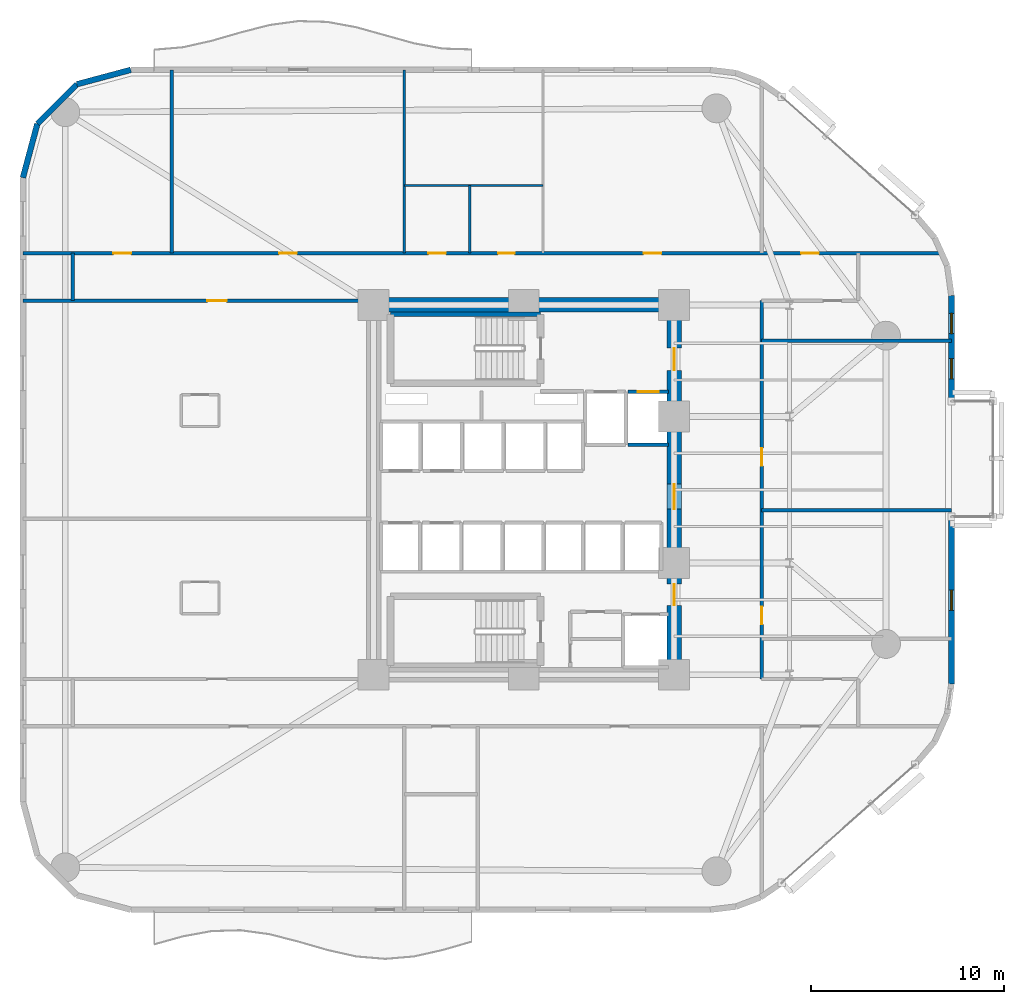
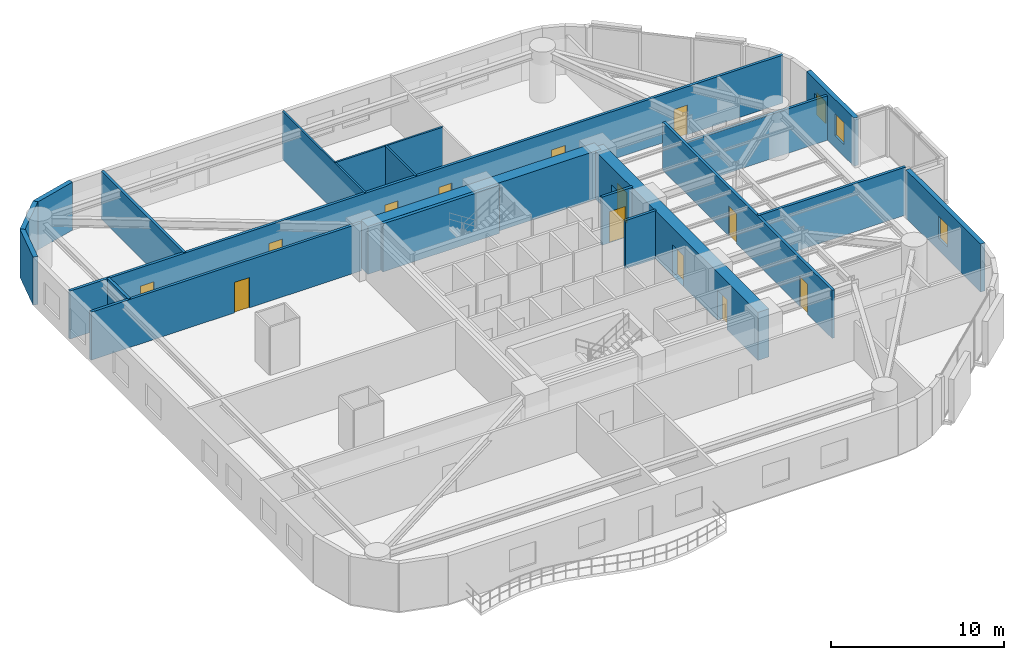
# One storey, part 12 of 16: 20 walls, 13 doors, 3 windows, 16 openings.
"""IFC4 building model written with IfcOpenShell, lengths in metres."""

import ifcopenshell
import ifcopenshell.guid

model = None  # the IFC model being written
_history = None  # IfcOwnerHistory: only IFC2X3 demands one
_inside = {}  # id of a spatial element -> (the spatial element, [elements in it])
_under = {}  # id of a project, library or spatial element -> (it, [spatial elements below it])
_declared = {}  # id of a project -> (the project, [libraries it declares])
_typed = {}  # id of a type object -> (the type object, [elements of that type])
_made_of = {}  # id of a material, layer set ... -> (it, [elements and type objects made of it])


def new_model(schema):
    """Start an empty IFC model of exactly this schema.

    Asked for "IFC4X3", IfcOpenShell would pick the latest addendum, in which some entities
    have other attributes; the version numbers below select the first issue.
    IFC2X3 requires an IfcOwnerHistory on every rooted entity: one is made here for all.
    """
    global model, _history
    if schema == "IFC4X3":
        model = ifcopenshell.file(schema_version=(4, 3, 0, 0))
    else:
        model = ifcopenshell.file(schema=schema)
    _inside.clear()
    _under.clear()
    _declared.clear()
    _typed.clear()
    _made_of.clear()
    _history = None
    if model.schema == "IFC2X3":
        org = make("IfcOrganization", Name="unknown")
        user = make(
            "IfcPersonAndOrganization",
            ThePerson=make("IfcPerson", FamilyName="unknown"),
            TheOrganization=org,
        )
        app = make(
            "IfcApplication",
            ApplicationDeveloper=org,
            Version="unknown",
            ApplicationFullName="unknown",
            ApplicationIdentifier="unknown",
        )
        _history = make(
            "IfcOwnerHistory",
            OwningUser=user,
            OwningApplication=app,
            ChangeAction="ADDED",
            CreationDate=0,
        )
    return model


def make(cls, **values):
    """One entity of the class cls with the attributes given. An attribute that is None is left unset."""
    return model.create_entity(
        cls, **{name: value for name, value in values.items() if value is not None}
    )


def rooted(cls, **values):
    """An entity with a GlobalId (a new one), such as an element, a storey or a relation."""
    return make(cls, GlobalId=ifcopenshell.guid.new(), OwnerHistory=_history, **values)


def si_unit(unit_type, name, prefix=None):
    """IfcSIUnit, for example si_unit("LENGTHUNIT", "METRE", prefix="MILLI")."""
    return make("IfcSIUnit", UnitType=unit_type, Prefix=prefix, Name=name)


def assignment(units):
    """IfcUnitAssignment: the units of a project."""
    return None if units is None else make("IfcUnitAssignment", Units=units)


def point(xyz):
    """IfcCartesianPoint."""
    return None if xyz is None else make("IfcCartesianPoint", Coordinates=xyz)


def direction(xyz):
    """IfcDirection."""
    return None if xyz is None else make("IfcDirection", DirectionRatios=xyz)


def frame(location, z_axis=None, x_axis=None):
    """IfcAxis2Placement3D, a coordinate frame: its origin and axes. An axis left out is left unset."""
    return make(
        "IfcAxis2Placement3D",
        Location=point(location),
        Axis=direction(z_axis),
        RefDirection=direction(x_axis),
    )


def frame_2d(location, x_axis=None):
    """IfcAxis2Placement2D, a coordinate frame in the plane: its origin and x axis."""
    return make(
        "IfcAxis2Placement2D", Location=point(location), RefDirection=direction(x_axis)
    )


def origin():
    """The frame at (0, 0, 0) with its axes left unset."""
    return frame((0.0, 0.0, 0.0))


def place(relative_to, where):
    """IfcLocalPlacement: puts the frame where relative to a parent placement (None: the world)."""
    return make(
        "IfcLocalPlacement", PlacementRelTo=relative_to, RelativePlacement=where
    )


def context(
    kind, dimensions, precision=None, world=None, true_north=None, identifier=None
):
    """IfcGeometricRepresentationContext, for example the 3D "Model" context."""
    return make(
        "IfcGeometricRepresentationContext",
        ContextIdentifier=identifier,
        ContextType=kind,
        CoordinateSpaceDimension=dimensions,
        Precision=precision,
        WorldCoordinateSystem=world,
        TrueNorth=true_north,
    )


def subcontext(parent, identifier, kind, view, scale=None):
    """IfcGeometricRepresentationSubContext, for example "Body" below "Model"."""
    return make(
        "IfcGeometricRepresentationSubContext",
        ContextIdentifier=identifier,
        ContextType=kind,
        ParentContext=parent,
        TargetScale=scale,
        TargetView=view,
    )


def project(units=None, contexts=None):
    """IfcProject with its units and contexts."""
    return rooted(
        "IfcProject",
        Name="project",
        RepresentationContexts=contexts,
        UnitsInContext=assignment(units),
    )


def spatial(cls, under=None, at=None, **own):
    """A site, building, storey or space (cls), placed at a placement, below another one or the project."""
    s = rooted(cls, ObjectPlacement=at, **own)
    if under is not None:
        _under.setdefault(under.id(), (under, []))[1].append(s)
    return s


def profile(cls, at=None, kind="AREA", **sizes):
    """A parametric profile (cls). Its sizes go by their IFC names, for example OverallWidth=200.0."""
    return make(cls, ProfileType=kind, Position=at, **sizes)


def rectangle(**sizes):
    """IfcRectangleProfileDef."""
    return profile("IfcRectangleProfileDef", **sizes)


def extrude(swept, where, along, depth):
    """IfcExtrudedAreaSolid: the profile swept, set in the frame where, extruded along a direction by depth."""
    return make(
        "IfcExtrudedAreaSolid",
        SweptArea=swept,
        Position=where,
        ExtrudedDirection=direction(along),
        Depth=depth,
    )


def shape(context_of_items, identifier, shape_type, items):
    """IfcShapeRepresentation: the items that make up one representation, for example the "Body"."""
    return make(
        "IfcShapeRepresentation",
        ContextOfItems=context_of_items,
        RepresentationIdentifier=identifier,
        RepresentationType=shape_type,
        Items=items,
    )


def material(Name=None, Category=None):
    """IfcMaterial."""
    return make("IfcMaterial", Name=Name, Category=Category)


def layer(
    of_material, thickness, ventilated=None, Name=None, Category=None, Priority=None
):
    """IfcMaterialLayer: one layer of a wall or slab, of a material (None: an air gap)."""
    return make(
        "IfcMaterialLayer",
        Material=of_material,
        LayerThickness=thickness,
        IsVentilated=ventilated,
        Name=Name,
        Category=Category,
        Priority=Priority,
    )


def layer_set(layers, Name=None):
    """IfcMaterialLayerSet."""
    return make("IfcMaterialLayerSet", MaterialLayers=layers, LayerSetName=Name)


def made_of(thing, what):
    """Note that an element or type object is made of a material, layer set ...; save() writes the relation."""
    if what is not None:
        _made_of.setdefault(what.id(), (what, []))[1].append(thing)
    return thing


def type_object(cls, material=None, **own):
    """A type object (cls), such as IfcWallType, which elements share."""
    return made_of(rooted(cls, **own), material)


def element(
    cls,
    number,
    at=None,
    inside=None,
    cuts=None,
    type_object=None,
    material=None,
    context=None,
    identifier="Body",
    shape_type=None,
    held_by="IfcProductDefinitionShape",
    body=None,
    shapes=None,
    **own,
):
    """One element of the class cls, such as IfcWall. Its Tag is "e" and its number.

    at: its placement. inside: the storey or other place that contains it. cuts: it is an
    opening in that element (IfcRelVoidsElement). A single representation is given by context,
    identifier, shape_type and body (its items); several are given by shapes. held_by: the class
    of the entity that holds the representations. save() writes the other relations.
    """
    e = rooted(cls, Tag="e%d" % number, ObjectPlacement=at, **own)
    if body is not None:
        shapes = [shape(context, identifier, shape_type, body)]
    if shapes is not None:
        e.Representation = make(held_by, Representations=shapes)
    if inside is not None:
        _inside.setdefault(inside.id(), (inside, []))[1].append(e)
    if cuts is not None:
        rooted(
            "IfcRelVoidsElement", RelatingBuildingElement=cuts, RelatedOpeningElement=e
        )
    if type_object is not None:
        _typed.setdefault(type_object.id(), (type_object, []))[1].append(e)
    return made_of(e, material)


def fill(opening, filler):
    """IfcRelFillsElement: the door or window that sits in an opening."""
    return rooted(
        "IfcRelFillsElement",
        RelatingOpeningElement=opening,
        RelatedBuildingElement=filler,
    )


def aggregate(whole, parts):
    """IfcRelAggregates: a whole, such as a stair, and the parts it consists of."""
    return rooted("IfcRelAggregates", RelatingObject=whole, RelatedObjects=parts)


def save(model, path):
    """Write the relations noted so far, then the file.

    IfcRelAggregates (storeys below a building ...), IfcRelContainedInSpatialStructure (elements
    in a storey), IfcRelDefinesByType, IfcRelAssociatesMaterial and IfcRelDeclares: one each for
    every whole, place, type object, material and project.
    """
    for whole, parts in _under.values():
        aggregate(whole, parts)
    for where, things in _inside.values():
        rooted(
            "IfcRelContainedInSpatialStructure",
            RelatedElements=things,
            RelatingStructure=where,
        )
    for kind, things in _typed.values():
        rooted("IfcRelDefinesByType", RelatedObjects=things, RelatingType=kind)
    for what, things in _made_of.values():
        rooted("IfcRelAssociatesMaterial", RelatedObjects=things, RelatingMaterial=what)
    for by, libraries in _declared.values():
        rooted("IfcRelDeclares", RelatingContext=by, RelatedDefinitions=libraries)
    model.write(path)


model = new_model("IFC4")

# Units and contexts
model_context = context("Model", 3, precision=1e-05, world=origin(), true_north=direction((0.0, 1.0)))
body_context = subcontext(model_context, "Body", "Model", "MODEL_VIEW")
ifc_project = project(units=[si_unit("LENGTHUNIT", "METRE"), si_unit("AREAUNIT", "SQUARE_METRE"), si_unit("VOLUMEUNIT", "CUBIC_METRE"), si_unit("PLANEANGLEUNIT", "RADIAN"), si_unit("MASSUNIT", "GRAM", prefix="KILO")], contexts=[model_context])

# Site, building, storey
site_placement = place(None, origin())
site = spatial("IfcSite", under=ifc_project, at=site_placement, CompositionType="ELEMENT")
building_placement = place(site_placement, origin())
building = spatial("IfcBuilding", under=site, at=building_placement, Name="An Khanh Terracotta Commons", CompositionType="ELEMENT")
storey_placement = place(building_placement, frame((0.0, 0.0, 46.800048828125)))
storey = spatial("IfcBuildingStorey", under=building, at=storey_placement, Name="L12", CompositionType="ELEMENT", Elevation=46.800048828125)

# Wall
ifc_material_1 = material(Name="Concrete C70/85", Category="concrete")
ifc_layer_1 = layer(ifc_material_1, 0.75, Name="Concrete C70/85")
ifc_layer_set_1 = layer_set([ifc_layer_1], Name="Concrete C70/85")
wall_type_1 = type_object("IfcWallType", Name="WALL-CORE-750", PredefinedType="SHEAR", material=ifc_layer_set_1)
wall_1_placement = place(storey_placement, frame((21.60009765625, 33.60009765625, 0.0), z_axis=(0.0, 0.0, 1.0), x_axis=(1.0, 0.0, 0.0)))
element("IfcWall", 1, at=wall_1_placement, inside=storey, type_object=wall_type_1, Name="L12 Core Wall CWALL-L12-N", PredefinedType="SHEAR", context=body_context, shape_type="SweptSolid", body=[
    extrude(rectangle(XDim=15.599853515625, YDim=0.75, at=frame_2d((7.7998046875, 0.0))), origin(), (0.0, 0.0, 1.0), 3.39990234375),
])

# Wall, openings, doors
wall_2_placement = place(storey_placement, frame((37.199951171875, 14.39990234375, 0.0), z_axis=(0.0, 0.0, 1.0), x_axis=(0.0, 1.0, 0.0)))
wall_2 = element("IfcWall", 2, at=wall_2_placement, inside=storey, type_object=wall_type_1, Name="L12 Core Wall CWALL-L12-E", PredefinedType="SHEAR", context=body_context, shape_type="SweptSolid", body=[
    extrude(rectangle(XDim=19.2001953125, YDim=0.75, at=frame_2d((9.60009765625, 0.0))), origin(), (0.0, 0.0, 1.0), 3.39990234375),
])
opening_1_placement = place(wall_2_placement, frame((15.800048828125, 0.0, 0.0)))
opening_1 = element("IfcOpeningElement", 3, at=opening_1_placement, cuts=wall_2, Name="Opening D-FFL", PredefinedType="OPENING", context=body_context, shape_type="SweptSolid", body=[
    extrude(rectangle(XDim=1.14990234375, YDim=2.14990234375, at=frame_2d((0.574951171875, 1.074951171875))), frame((0.0, 0.385009765625, 0.0), z_axis=(0.0, -1.0, 0.0), x_axis=(1.0, 0.0, 0.0)), (0.0, 0.0, 1.0), 0.77001953125),
])
opening_2_placement = place(wall_2_placement, frame((3.60009765625, 0.0, 0.0)))
opening_2 = element("IfcOpeningElement", 4, at=opening_2_placement, cuts=wall_2, Name="Opening D-ST", PredefinedType="OPENING", context=body_context, shape_type="SweptSolid", body=[
    extrude(rectangle(XDim=1.10009765625, YDim=2.14990234375, at=frame_2d((0.550048828125, 1.074951171875))), frame((0.0, 0.385009765625, 0.0), z_axis=(0.0, -1.0, 0.0), x_axis=(1.0, 0.0, 0.0)), (0.0, 0.0, 1.0), 0.77001953125),
])
opening_3_placement = place(wall_2_placement, frame((8.60009765625, 0.0, 0.0)))
opening_3 = element("IfcOpeningElement", 5, at=opening_3_placement, cuts=wall_2, Name="Opening D-COR", PredefinedType="OPENING", context=body_context, shape_type="SweptSolid", body=[
    extrude(rectangle(XDim=1.300048828125, YDim=2.199951171875, at=frame_2d((0.64990234375, 1.10009765625))), frame((0.0, 0.385009765625, 0.0), z_axis=(0.0, -1.0, 0.0), x_axis=(1.0, 0.0, 0.0)), (0.0, 0.0, 1.0), 0.77001953125),
])
ifc_material_2 = material(Name="Fire-Rated Glazed Steel Double Door", Category="steel")
door_type_1 = type_object("IfcDoorType", Name="DOOR-CORR-1300", OperationType="NOTDEFINED", PredefinedType="DOOR", material=ifc_material_2)
door_1_placement = place(opening_3_placement, origin())
door_1 = element("IfcDoor", 6, at=door_1_placement, inside=storey, type_object=door_type_1, Name="L12 Passenger Lift Lobby Double Door", OperationType="DOUBLE_DOOR_SINGLE_SWING", OverallHeight=2.199951171875, OverallWidth=1.300048828125, PredefinedType="DOOR", context=body_context, shape_type="SweptSolid", body=[
    extrude(rectangle(XDim=1.300048828125, YDim=2.199951171875, at=frame_2d((0.64990234375, 1.10009765625))), frame((0.0, 0.02490234375, 0.0), z_axis=(0.0, -1.0, 0.0), x_axis=(1.0, 0.0, 0.0)), (0.0, 0.0, 1.0), 0.050048828125),
])
fill(opening_3, door_1)
ifc_material_3 = material(Name="Fire-Rated Steel Leaf and Vision Panel", Category="steel")
door_type_2 = type_object("IfcDoorType", Name="DOOR-FFL-1150", OperationType="NOTDEFINED", PredefinedType="DOOR", material=ifc_material_3)
door_2_placement = place(opening_1_placement, origin())
door_2 = element("IfcDoor", 7, at=door_2_placement, inside=storey, type_object=door_type_2, Name="L12 Firefighting Lift Lobby Fire Door", OperationType="SINGLE_SWING_LEFT", OverallHeight=2.14990234375, OverallWidth=1.14990234375, PredefinedType="DOOR", context=body_context, shape_type="SweptSolid", body=[
    extrude(rectangle(XDim=1.14990234375, YDim=2.14990234375, at=frame_2d((0.574951171875, 1.074951171875))), frame((0.0, 0.02490234375, 0.0), z_axis=(0.0, -1.0, 0.0), x_axis=(1.0, 0.0, 0.0)), (0.0, 0.0, 1.0), 0.050048828125),
])
fill(opening_1, door_2)
ifc_material_4 = material(Name="Fire-Rated Steel Leaf and Frame", Category="steel")
door_type_3 = type_object("IfcDoorType", Name="DOOR-STAIR-1100", OperationType="NOTDEFINED", PredefinedType="DOOR", material=ifc_material_4)
door_3_placement = place(opening_2_placement, origin())
door_3 = element("IfcDoor", 8, at=door_3_placement, inside=storey, type_object=door_type_3, Name="L12 South Stair Lobby Fire Door", OperationType="SINGLE_SWING_RIGHT", OverallHeight=2.14990234375, OverallWidth=1.10009765625, PredefinedType="DOOR", context=body_context, shape_type="SweptSolid", body=[
    extrude(rectangle(XDim=1.10009765625, YDim=2.14990234375, at=frame_2d((0.550048828125, 1.074951171875))), frame((0.0, 0.02490234375, 0.0), z_axis=(0.0, -1.0, 0.0), x_axis=(1.0, 0.0, 0.0)), (0.0, 0.0, 1.0), 0.050048828125),
])
fill(opening_2, door_3)

# Wall, opening, door
ifc_material_5 = material(Name="Fire-Rated Gypsum Board on Steel Stud", Category="steel")
ifc_layer_2 = layer(ifc_material_5, 0.179931640625, Name="Fire-Rated Gypsum Board on Steel Stud")
ifc_layer_set_2 = layer_set([ifc_layer_2], Name="Fire-Rated Gypsum Board on Steel Stud")
wall_type_2 = type_object("IfcWallType", Name="WALL-CORR-180", PredefinedType="PARTITIONING", material=ifc_layer_set_2)
wall_3_placement = place(storey_placement, frame((34.820068359375, 29.080078125, 0.0), z_axis=(0.0, 0.0, 1.0), x_axis=(1.0, 0.0, 0.0)))
wall_3 = element("IfcWall", 9, at=wall_3_placement, inside=storey, type_object=wall_type_2, Name="L12 Core Wall LSH-L12-FFL-02-N", PredefinedType="PARTITIONING", context=body_context, shape_type="SweptSolid", body=[
    extrude(rectangle(XDim=2.079833984375, YDim=0.179931640625, at=frame_2d((1.0400390625, 0.0))), origin(), (0.0, 0.0, 1.0), 3.39990234375),
])
opening_4_placement = place(wall_3_placement, frame((0.489990234375, 0.0, 0.0)))
opening_4 = element("IfcOpeningElement", 10, at=opening_4_placement, cuts=wall_3, Name="Opening LD-FFL-02-L12", PredefinedType="OPENING", context=body_context, shape_type="SweptSolid", body=[
    extrude(rectangle(XDim=1.10009765625, YDim=2.199951171875, at=frame_2d((0.550048828125, 1.10009765625))), frame((0.0, 0.099853515625, 0.0), z_axis=(0.0, -1.0, 0.0), x_axis=(1.0, 0.0, 0.0)), (0.0, 0.0, 1.0), 0.199951171875),
])
ifc_material_6 = material(Name="Brushed Stainless Steel Fire Landing Door", Category="steel")
door_type_4 = type_object("IfcDoorType", Name="DOOR-LD-FFL-1100", OperationType="NOTDEFINED", PredefinedType="DOOR", material=ifc_material_6)
door_4_placement = place(opening_4_placement, origin())
door_4 = element("IfcDoor", 11, at=door_4_placement, inside=storey, type_object=door_type_4, Name="L12 Lift FFL-02 Sliding Landing Door", OperationType="DOUBLE_DOOR_SLIDING", OverallHeight=2.199951171875, OverallWidth=1.10009765625, PredefinedType="DOOR", context=body_context, shape_type="SweptSolid", body=[
    extrude(rectangle(XDim=1.10009765625, YDim=2.199951171875, at=frame_2d((0.550048828125, 1.10009765625))), frame((0.0, 0.02490234375, 0.0), z_axis=(0.0, -1.0, 0.0), x_axis=(1.0, 0.0, 0.0)), (0.0, 0.0, 1.0), 0.050048828125),
])
fill(opening_4, door_4)

# Walls
wall_4_placement = place(storey_placement, frame((36.89990234375, 26.35009765625, 0.0), z_axis=(0.0, 0.0, 1.0), x_axis=(-1.0, 0.0, 0.0)))
element("IfcWall", 12, at=wall_4_placement, inside=storey, type_object=wall_type_2, Name="L12 Core Wall LSH-L12-FFL-02-S", PredefinedType="PARTITIONING", context=body_context, shape_type="SweptSolid", body=[
    extrude(rectangle(XDim=2.079833984375, YDim=0.179931640625, at=frame_2d((1.0400390625, 0.0))), origin(), (0.0, 0.0, 1.0), 3.39990234375),
])
wall_5_placement = place(storey_placement, frame((41.75, 22.931884765625, 0.0), z_axis=(0.0, 0.0, 1.0), x_axis=(1.0, 0.0, 0.0)))
element("IfcWall", 13, at=wall_5_placement, inside=storey, type_object=wall_type_2, Name="L12 Interior Partition IW-L12-E007", PredefinedType="PARTITIONING", context=body_context, shape_type="SweptSolid", body=[
    extrude(rectangle(XDim=9.85009765625, YDim=0.179931640625, at=frame_2d((4.925048828125, 0.0))), origin(), (0.0, 0.0, 1.0), 3.39990234375),
])
wall_6_placement = place(storey_placement, frame((41.75, 31.741943359375, 0.0), z_axis=(0.0, 0.0, 1.0), x_axis=(1.0, 0.0, 0.0)))
element("IfcWall", 14, at=wall_6_placement, inside=storey, type_object=wall_type_2, Name="L12 Interior Partition IW-L12-E008", PredefinedType="PARTITIONING", context=body_context, shape_type="SweptSolid", body=[
    extrude(rectangle(XDim=9.85009765625, YDim=0.179931640625, at=frame_2d((4.925048828125, 0.0))), origin(), (0.0, 0.0, 1.0), 3.141845703125),
])

# Wall, opening, door
wall_7_placement = place(storey_placement, frame((3.39990234375, 33.820068359375, 0.0), z_axis=(0.0, 0.0, 1.0), x_axis=(1.0, 0.0, 0.0)))
wall_7 = element("IfcWall", 15, at=wall_7_placement, inside=storey, type_object=wall_type_2, Name="L12 Interior Partition IW-L12-E009", PredefinedType="PARTITIONING", context=body_context, shape_type="SweptSolid", body=[
    extrude(rectangle(XDim=18.080078125, YDim=0.179931640625, at=frame_2d((9.0400390625, 0.0))), origin(), (0.0, 0.0, 1.0), 3.39990234375),
])
opening_5_placement = place(wall_7_placement, frame((9.580078125, 0.0, 0.0)))
opening_5 = element("IfcOpeningElement", 16, at=opening_5_placement, cuts=wall_7, Name="Opening D-UN", PredefinedType="OPENING", context=body_context, shape_type="SweptSolid", body=[
    extrude(rectangle(XDim=1.0, YDim=2.14990234375, at=frame_2d((0.5, 1.074951171875))), frame((0.0, 0.099853515625, 0.0), z_axis=(0.0, -1.0, 0.0), x_axis=(1.0, 0.0, 0.0)), (0.0, 0.0, 1.0), 0.199951171875),
])
ifc_material_7 = material(Name="Solid-Core Hardwood Acoustic Fire Door", Category="wood")
door_type_5 = type_object("IfcDoorType", Name="DOOR-UNIT-1000", OperationType="NOTDEFINED", PredefinedType="DOOR", material=ifc_material_7)
door_5_placement = place(opening_5_placement, origin())
door_5 = element("IfcDoor", 17, at=door_5_placement, inside=storey, type_object=door_type_5, Name="L12 WW2 Kitchenette and Studio Apartment Door", OperationType="SINGLE_SWING_RIGHT", OverallHeight=2.14990234375, OverallWidth=1.0, PredefinedType="DOOR", context=body_context, shape_type="SweptSolid", body=[
    extrude(rectangle(XDim=1.0, YDim=2.14990234375, at=frame_2d((0.5, 1.074951171875))), frame((0.0, 0.02490234375, 0.0), z_axis=(0.0, -1.0, 0.0), x_axis=(1.0, 0.0, 0.0)), (0.0, 0.0, 1.0), 0.050048828125),
])
fill(opening_5, door_5)

# Wall, openings, doors
wall_8_placement = place(storey_placement, frame((3.39990234375, 36.280029296875, 0.0), z_axis=(0.0, 0.0, 1.0), x_axis=(1.0, 0.0, 0.0)))
wall_8 = element("IfcWall", 18, at=wall_8_placement, inside=storey, type_object=wall_type_2, Name="L12 Interior Partition IW-L12-E011", PredefinedType="PARTITIONING", context=body_context, shape_type="SweptSolid", body=[
    extrude(rectangle(XDim=47.689208984375, YDim=0.179931640625, at=frame_2d((23.8447265625, 0.0))), origin(), (0.0, 0.0, 1.0), 3.39990234375),
])
opening_6_placement = place(wall_8_placement, frame((21.050048828125, 0.0, 0.0)))
opening_6 = element("IfcOpeningElement", 19, at=opening_6_placement, cuts=wall_8, Name="Opening D-WC", PredefinedType="OPENING", context=body_context, shape_type="SweptSolid", body=[
    extrude(rectangle(XDim=0.89990234375, YDim=2.10009765625, at=frame_2d((0.449951171875, 1.050048828125))), frame((0.0, 0.099853515625, 0.0), z_axis=(0.0, -1.0, 0.0), x_axis=(1.0, 0.0, 0.0)), (0.0, 0.0, 1.0), 0.199951171875),
])
opening_7_placement = place(wall_8_placement, frame((24.669921875, 0.0, 0.0)))
opening_7 = element("IfcOpeningElement", 20, at=opening_7_placement, cuts=wall_8, Name="Opening D-ENS", PredefinedType="OPENING", context=body_context, shape_type="SweptSolid", body=[
    extrude(rectangle(XDim=0.860107421875, YDim=2.10009765625, at=frame_2d((0.43017578125, 1.050048828125))), frame((0.0, 0.099853515625, 0.0), z_axis=(0.0, -1.0, 0.0), x_axis=(1.0, 0.0, 0.0)), (0.0, 0.0, 1.0), 0.199951171875),
])
opening_8_placement = place(wall_8_placement, frame((40.389892578125, 0.0, 0.0)))
opening_8 = element("IfcOpeningElement", 21, at=opening_8_placement, cuts=wall_8, Name="Opening D-RM", PredefinedType="OPENING", context=body_context, shape_type="SweptSolid", body=[
    extrude(rectangle(XDim=0.919921875, YDim=2.10009765625, at=frame_2d((0.4599609375, 1.050048828125))), frame((0.0, 0.099853515625, 0.0), z_axis=(0.0, -1.0, 0.0), x_axis=(1.0, 0.0, 0.0)), (0.0, 0.0, 1.0), 0.199951171875),
])
opening_9_placement = place(wall_8_placement, frame((4.698974609375, 0.0, 0.0)))
opening_9 = element("IfcOpeningElement", 22, at=opening_9_placement, cuts=wall_8, Name="Opening D-RM", PredefinedType="OPENING", context=body_context, shape_type="SweptSolid", body=[
    extrude(rectangle(XDim=0.919921875, YDim=2.10009765625, at=frame_2d((0.4599609375, 1.050048828125))), frame((0.0, 0.099853515625, 0.0), z_axis=(0.0, -1.0, 0.0), x_axis=(1.0, 0.0, 0.0)), (0.0, 0.0, 1.0), 0.199951171875),
])
opening_10_placement = place(wall_8_placement, frame((13.298095703125, 0.0, 0.0)))
opening_10 = element("IfcOpeningElement", 23, at=opening_10_placement, cuts=wall_8, Name="Opening D-RM", PredefinedType="OPENING", context=body_context, shape_type="SweptSolid", body=[
    extrude(rectangle(XDim=0.919921875, YDim=2.10009765625, at=frame_2d((0.4599609375, 1.050048828125))), frame((0.0, 0.099853515625, 0.0), z_axis=(0.0, -1.0, 0.0), x_axis=(1.0, 0.0, 0.0)), (0.0, 0.0, 1.0), 0.199951171875),
])
opening_11_placement = place(wall_8_placement, frame((32.215087890625, 0.0, 0.0)))
opening_11 = element("IfcOpeningElement", 24, at=opening_11_placement, cuts=wall_8, Name="Opening D-RM", PredefinedType="OPENING", context=body_context, shape_type="SweptSolid", body=[
    extrude(rectangle(XDim=0.919921875, YDim=2.10009765625, at=frame_2d((0.4599609375, 1.050048828125))), frame((0.0, 0.099853515625, 0.0), z_axis=(0.0, -1.0, 0.0), x_axis=(1.0, 0.0, 0.0)), (0.0, 0.0, 1.0), 0.199951171875),
])
ifc_material_8 = material(Name="Moisture-Resistant Hardwood Timber Leaf", Category="wood")
door_type_6 = type_object("IfcDoorType", Name="DOOR-BATH-860", OperationType="NOTDEFINED", PredefinedType="DOOR", material=ifc_material_8)
door_6_placement = place(opening_7_placement, origin())
door_6 = element("IfcDoor", 25, at=door_6_placement, inside=storey, type_object=door_type_6, Name="L12 SHW Resident Shared Shower and Washroom Door", OperationType="SINGLE_SWING_RIGHT", OverallHeight=2.10009765625, OverallWidth=0.860107421875, PredefinedType="DOOR", context=body_context, shape_type="SweptSolid", body=[
    extrude(rectangle(XDim=0.860107421875, YDim=2.10009765625, at=frame_2d((0.43017578125, 1.050048828125))), frame((0.0, 0.02490234375, 0.0), z_axis=(0.0, -1.0, 0.0), x_axis=(1.0, 0.0, 0.0)), (0.0, 0.0, 1.0), 0.050048828125),
])
fill(opening_7, door_6)
ifc_material_9 = material(Name="Engineered Hardwood Timber Leaf", Category="wood")
door_type_7 = type_object("IfcDoorType", Name="DOOR-INT-920", OperationType="NOTDEFINED", PredefinedType="DOOR", material=ifc_material_9)
door_7_placement = place(opening_8_placement, origin())
door_7 = element("IfcDoor", 26, at=door_7_placement, inside=storey, type_object=door_type_7, Name="L12 FANN Quiet Focus Office Door", OperationType="SINGLE_SWING_RIGHT", OverallHeight=2.10009765625, OverallWidth=0.919921875, PredefinedType="DOOR", context=body_context, shape_type="SweptSolid", body=[
    extrude(rectangle(XDim=0.919921875, YDim=2.10009765625, at=frame_2d((0.4599609375, 1.050048828125))), frame((0.0, 0.02490234375, 0.0), z_axis=(0.0, -1.0, 0.0), x_axis=(1.0, 0.0, 0.0)), (0.0, 0.0, 1.0), 0.050048828125),
])
fill(opening_8, door_7)
door_8_placement = place(opening_9_placement, origin())
door_8 = element("IfcDoor", 27, at=door_8_placement, inside=storey, type_object=door_type_7, Name="L12 NW1 Collaborative Study Lounge Door", OperationType="SINGLE_SWING_RIGHT", OverallHeight=2.10009765625, OverallWidth=0.919921875, PredefinedType="DOOR", context=body_context, shape_type="SweptSolid", body=[
    extrude(rectangle(XDim=0.919921875, YDim=2.10009765625, at=frame_2d((0.4599609375, 1.050048828125))), frame((0.0, 0.02490234375, 0.0), z_axis=(0.0, -1.0, 0.0), x_axis=(1.0, 0.0, 0.0)), (0.0, 0.0, 1.0), 0.050048828125),
])
fill(opening_9, door_8)
door_9_placement = place(opening_10_placement, origin())
door_9 = element("IfcDoor", 28, at=door_9_placement, inside=storey, type_object=door_type_7, Name="L12 NW2 Collaborative Study Lounge Door", OperationType="SINGLE_SWING_LEFT", OverallHeight=2.10009765625, OverallWidth=0.919921875, PredefinedType="DOOR", context=body_context, shape_type="SweptSolid", body=[
    extrude(rectangle(XDim=0.919921875, YDim=2.10009765625, at=frame_2d((0.4599609375, 1.050048828125))), frame((0.0, 0.02490234375, 0.0), z_axis=(0.0, -1.0, 0.0), x_axis=(1.0, 0.0, 0.0)), (0.0, 0.0, 1.0), 0.050048828125),
])
fill(opening_10, door_9)
door_10_placement = place(opening_11_placement, origin())
door_10 = element("IfcDoor", 29, at=door_10_placement, inside=storey, type_object=door_type_7, Name="L12 NWE Collaborative Study Lounge Door", OperationType="SINGLE_SWING_RIGHT", OverallHeight=2.10009765625, OverallWidth=0.919921875, PredefinedType="DOOR", context=body_context, shape_type="SweptSolid", body=[
    extrude(rectangle(XDim=0.919921875, YDim=2.10009765625, at=frame_2d((0.4599609375, 1.050048828125))), frame((0.0, 0.02490234375, 0.0), z_axis=(0.0, -1.0, 0.0), x_axis=(1.0, 0.0, 0.0)), (0.0, 0.0, 1.0), 0.050048828125),
])
fill(opening_11, door_10)
ifc_material_10 = material(Name="Laminate Moisture-Resistant Timber Leaf", Category="wood")
door_type_8 = type_object("IfcDoorType", Name="DOOR-WC-900", OperationType="NOTDEFINED", PredefinedType="DOOR", material=ifc_material_10)
door_11_placement = place(opening_6_placement, origin())
door_11 = element("IfcDoor", 30, at=door_11_placement, inside=storey, type_object=door_type_8, Name="L12 AWC Accessible WC Door", OperationType="SINGLE_SWING_LEFT", OverallHeight=2.10009765625, OverallWidth=0.89990234375, PredefinedType="DOOR", context=body_context, shape_type="SweptSolid", body=[
    extrude(rectangle(XDim=0.89990234375, YDim=2.10009765625, at=frame_2d((0.449951171875, 1.050048828125))), frame((0.0, 0.02490234375, 0.0), z_axis=(0.0, -1.0, 0.0), x_axis=(1.0, 0.0, 0.0)), (0.0, 0.0, 1.0), 0.050048828125),
])
fill(opening_6, door_11)

# Walls
wall_9_placement = place(storey_placement, frame((6.0, 33.820068359375, 0.0), z_axis=(0.0, 0.0, 1.0), x_axis=(0.0, 1.0, 0.0)))
element("IfcWall", 31, at=wall_9_placement, inside=storey, type_object=wall_type_2, Name="L12 Interior Partition IW-L12-E014", PredefinedType="PARTITIONING", context=body_context, shape_type="SweptSolid", body=[
    extrude(rectangle(XDim=2.4599609375, YDim=0.179931640625, at=frame_2d((1.22998046875, 0.0))), origin(), (0.0, 0.0, 1.0), 3.39990234375),
])
wall_10_placement = place(storey_placement, frame((11.116943359375, 36.280029296875, 0.0), z_axis=(0.0, 0.0, 1.0), x_axis=(0.0, 1.0, 0.0)))
element("IfcWall", 32, at=wall_10_placement, inside=storey, type_object=wall_type_2, Name="L12 Interior Partition IW-L12-E015", PredefinedType="PARTITIONING", context=body_context, shape_type="SweptSolid", body=[
    extrude(rectangle(XDim=9.52001953125, YDim=0.179931640625, at=frame_2d((4.760009765625, 0.0))), origin(), (0.0, 0.0, 1.0), 3.39990234375),
])

# Wall, openings, doors
wall_11_placement = place(storey_placement, frame((41.75, 14.179931640625, 0.0), z_axis=(0.0, 0.0, 1.0), x_axis=(0.0, 1.0, 0.0)))
wall_11 = element("IfcWall", 33, at=wall_11_placement, inside=storey, type_object=wall_type_2, Name="L12 Interior Partition IW-L12-E022", PredefinedType="PARTITIONING", context=body_context, shape_type="SweptSolid", body=[
    extrude(rectangle(XDim=19.64013671875, YDim=0.179931640625, at=frame_2d((9.820068359375, 0.0))), origin(), (0.0, 0.0, 1.0), 3.39990234375),
])
opening_12_placement = place(wall_11_placement, frame((2.8359375, 0.0, 0.0)))
opening_12 = element("IfcOpeningElement", 34, at=opening_12_placement, cuts=wall_11, Name="Opening D-RM", PredefinedType="OPENING", context=body_context, shape_type="SweptSolid", body=[
    extrude(rectangle(XDim=0.919921875, YDim=2.10009765625, at=frame_2d((0.4599609375, 1.050048828125))), frame((0.0, 0.099853515625, 0.0), z_axis=(0.0, -1.0, 0.0), x_axis=(1.0, 0.0, 0.0)), (0.0, 0.0, 1.0), 0.199951171875),
])
opening_13_placement = place(wall_11_placement, frame((11.05908203125, 0.0, 0.0)))
opening_13 = element("IfcOpeningElement", 35, at=opening_13_placement, cuts=wall_11, Name="Opening D-RM", PredefinedType="OPENING", context=body_context, shape_type="SweptSolid", body=[
    extrude(rectangle(XDim=0.919921875, YDim=2.10009765625, at=frame_2d((0.4599609375, 1.050048828125))), frame((0.0, 0.099853515625, 0.0), z_axis=(0.0, -1.0, 0.0), x_axis=(1.0, 0.0, 0.0)), (0.0, 0.0, 1.0), 0.199951171875),
])
door_12_placement = place(opening_12_placement, origin())
door_12 = element("IfcDoor", 36, at=door_12_placement, inside=storey, type_object=door_type_7, Name="L12 FAN2 Collaborative Study Lounge Door", OperationType="SINGLE_SWING_LEFT", OverallHeight=2.10009765625, OverallWidth=0.919921875, PredefinedType="DOOR", context=body_context, shape_type="SweptSolid", body=[
    extrude(rectangle(XDim=0.919921875, YDim=2.10009765625, at=frame_2d((0.4599609375, 1.050048828125))), frame((0.0, 0.02490234375, 0.0), z_axis=(0.0, -1.0, 0.0), x_axis=(1.0, 0.0, 0.0)), (0.0, 0.0, 1.0), 0.050048828125),
])
fill(opening_12, door_12)
door_13_placement = place(opening_13_placement, origin())
door_13 = element("IfcDoor", 37, at=door_13_placement, inside=storey, type_object=door_type_7, Name="L12 FAN3 Collaborative Study Lounge Door", OperationType="SINGLE_SWING_RIGHT", OverallHeight=2.10009765625, OverallWidth=0.919921875, PredefinedType="DOOR", context=body_context, shape_type="SweptSolid", body=[
    extrude(rectangle(XDim=0.919921875, YDim=2.10009765625, at=frame_2d((0.4599609375, 1.050048828125))), frame((0.0, 0.02490234375, 0.0), z_axis=(0.0, -1.0, 0.0), x_axis=(1.0, 0.0, 0.0)), (0.0, 0.0, 1.0), 0.050048828125),
])
fill(opening_13, door_13)

# Wall, opening, window
ifc_material_11 = material(Name="Precast concrete C40/50", Category="concrete")
ifc_layer_3 = layer(ifc_material_11, 0.300048828125, Name="Precast concrete C40/50")
ifc_layer_set_3 = layer_set([ifc_layer_3], Name="Precast concrete C40/50")
wall_type_3 = type_object("IfcWallType", Name="WALL-EXT-300", PredefinedType="SOLIDWALL", material=ifc_layer_set_3)
wall_12_placement = place(storey_placement, frame((51.60009765625, 13.923095703125, 0.0), z_axis=(0.0, 0.0, 1.0), x_axis=(0.0, 1.0, 0.0)))
wall_12 = element("IfcWall", 38, at=wall_12_placement, inside=storey, type_object=wall_type_3, Name="L12 East Nose Wall South", PredefinedType="SOLIDWALL", context=body_context, shape_type="SweptSolid", body=[
    extrude(rectangle(XDim=8.677001953125, YDim=0.300048828125, at=frame_2d((4.33837890625, 0.0))), origin(), (0.0, 0.0, 1.0), 3.39990234375),
])
opening_14_placement = place(wall_12_placement, frame((3.81396484375, 0.0, 0.85009765625)))
opening_14 = element("IfcOpeningElement", 39, at=opening_14_placement, cuts=wall_12, Name="Opening W-06", PredefinedType="OPENING", context=body_context, shape_type="SweptSolid", body=[
    extrude(rectangle(XDim=1.050048828125, YDim=1.550048828125, at=frame_2d((0.52490234375, 0.77490234375))), frame((0.0, 0.159912109375, 0.0), z_axis=(0.0, -1.0, 0.0), x_axis=(1.0, 0.0, 0.0)), (0.0, 0.0, 1.0), 0.320068359375),
])
ifc_material_12 = material(Name="Thermally Broken Aluminium and Low-E Glass", Category="aluminium")
window_type = type_object("IfcWindowType", Name="WIN-COR-1050x1550", PartitioningType="SINGLE_PANEL", PredefinedType="WINDOW", material=ifc_material_12)
window_1_placement = place(opening_14_placement, origin())
window_1 = element("IfcWindow", 40, at=window_1_placement, inside=storey, type_object=window_type, Name="L12 East Nose South Casement Window", OverallHeight=1.550048828125, OverallWidth=1.050048828125, PartitioningType="SINGLE_PANEL", PredefinedType="WINDOW", context=body_context, shape_type="SweptSolid", body=[
    extrude(rectangle(XDim=1.050048828125, YDim=1.550048828125, at=frame_2d((0.52490234375, 0.77490234375))), frame((0.0, 0.030029296875, 0.0), z_axis=(0.0, -1.0, 0.0), x_axis=(1.0, 0.0, 0.0)), (0.0, 0.0, 1.0), 0.06005859375),
])
fill(opening_14, window_1)

# Wall, openings, windows
wall_13_placement = place(storey_placement, frame((51.60009765625, 28.60009765625, 0.0), z_axis=(0.0, 0.0, 1.0), x_axis=(0.0, 1.0, 0.0)))
wall_13 = element("IfcWall", 41, at=wall_13_placement, inside=storey, type_object=wall_type_3, Name="L12 East Nose Wall North", PredefinedType="SOLIDWALL", context=body_context, shape_type="SweptSolid", body=[
    extrude(rectangle(XDim=5.476806640625, YDim=0.300048828125, at=frame_2d((2.73828125, 0.0))), origin(), (0.0, 0.0, 1.0), 3.39990234375),
])
opening_15_placement = place(wall_13_placement, frame((1.1640625, 0.0, 0.85009765625)))
opening_15 = element("IfcOpeningElement", 42, at=opening_15_placement, cuts=wall_13, Name="Opening W-06", PredefinedType="OPENING", context=body_context, shape_type="SweptSolid", body=[
    extrude(rectangle(XDim=1.050048828125, YDim=1.550048828125, at=frame_2d((0.52490234375, 0.77490234375))), frame((0.0, 0.159912109375, 0.0), z_axis=(0.0, -1.0, 0.0), x_axis=(1.0, 0.0, 0.0)), (0.0, 0.0, 1.0), 0.320068359375),
])
opening_16_placement = place(wall_13_placement, frame((3.50390625, 0.0, 0.85009765625)))
opening_16 = element("IfcOpeningElement", 43, at=opening_16_placement, cuts=wall_13, Name="Opening W-06", PredefinedType="OPENING", context=body_context, shape_type="SweptSolid", body=[
    extrude(rectangle(XDim=1.050048828125, YDim=1.550048828125, at=frame_2d((0.52490234375, 0.77490234375))), frame((0.0, 0.159912109375, 0.0), z_axis=(0.0, -1.0, 0.0), x_axis=(1.0, 0.0, 0.0)), (0.0, 0.0, 1.0), 0.320068359375),
])
window_2_placement = place(opening_15_placement, origin())
window_2 = element("IfcWindow", 44, at=window_2_placement, inside=storey, type_object=window_type, Name="L12 East Nose North Casement Window", OverallHeight=1.550048828125, OverallWidth=1.050048828125, PartitioningType="SINGLE_PANEL", PredefinedType="WINDOW", context=body_context, shape_type="SweptSolid", body=[
    extrude(rectangle(XDim=1.050048828125, YDim=1.550048828125, at=frame_2d((0.52490234375, 0.77490234375))), frame((0.0, 0.030029296875, 0.0), z_axis=(0.0, -1.0, 0.0), x_axis=(1.0, 0.0, 0.0)), (0.0, 0.0, 1.0), 0.06005859375),
])
fill(opening_15, window_2)
window_3_placement = place(opening_16_placement, origin())
window_3 = element("IfcWindow", 45, at=window_3_placement, inside=storey, type_object=window_type, Name="L12 L12-FAN4 Dwelling Casement Window", OverallHeight=1.550048828125, OverallWidth=1.050048828125, PartitioningType="SINGLE_PANEL", PredefinedType="WINDOW", context=body_context, shape_type="SweptSolid", body=[
    extrude(rectangle(XDim=1.050048828125, YDim=1.550048828125, at=frame_2d((0.52490234375, 0.77490234375))), frame((0.0, 0.030029296875, 0.0), z_axis=(0.0, -1.0, 0.0), x_axis=(1.0, 0.0, 0.0)), (0.0, 0.0, 1.0), 0.06005859375),
])
fill(opening_16, window_3)

# Walls
wall_14_placement = place(storey_placement, frame((9.0, 45.800048828125, 0.0), z_axis=(0.0, 0.0, 1.0), x_axis=(-0.96594917914, -0.258731875344, 0.0)))
element("IfcWall", 46, at=wall_14_placement, inside=storey, type_object=wall_type_3, Name="L12 Insulated Terracotta Exterior Wall 21", PredefinedType="SOLIDWALL", context=body_context, shape_type="SweptSolid", body=[
    extrude(rectangle(XDim=2.898681640625, YDim=0.300048828125, at=frame_2d((1.44921875, 0.0))), origin(), (0.0, 0.0, 1.0), 3.39990234375),
])
wall_15_placement = place(storey_placement, frame((6.199951171875, 45.050048828125, 0.0), z_axis=(0.0, 0.0, 1.0), x_axis=(-0.707106781187, -0.707106781187, 0.0)))
element("IfcWall", 47, at=wall_15_placement, inside=storey, type_object=wall_type_3, Name="L12 Insulated Terracotta Exterior Wall 22", PredefinedType="SOLIDWALL", context=body_context, shape_type="SweptSolid", body=[
    extrude(rectangle(XDim=2.899169921875, YDim=0.300048828125, at=frame_2d((1.44970703125, 0.0))), origin(), (0.0, 0.0, 1.0), 3.39990234375),
])
wall_16_placement = place(storey_placement, frame((4.14990234375, 43.0, 0.0), z_axis=(0.0, 0.0, 1.0), x_axis=(-0.258731875344, -0.96594917914, 0.0)))
element("IfcWall", 48, at=wall_16_placement, inside=storey, type_object=wall_type_3, Name="L12 Insulated Terracotta Exterior Wall 23", PredefinedType="SOLIDWALL", context=body_context, shape_type="SweptSolid", body=[
    extrude(rectangle(XDim=2.898681640625, YDim=0.300048828125, at=frame_2d((1.44921875, 0.0))), origin(), (0.0, 0.0, 1.0), 3.39990234375),
])
ifc_material_13 = material(Name="Acoustic Double-Stud Gypsum and Mineral Wool")
ifc_layer_4 = layer(ifc_material_13, 0.219970703125, Name="Acoustic Double-Stud Gypsum and Mineral Wool")
ifc_layer_set_4 = layer_set([ifc_layer_4], Name="Acoustic Double-Stud Gypsum and Mineral Wool")
wall_type_4 = type_object("IfcWallType", Name="WALL-PARTY-220", PredefinedType="PARTITIONING", material=ifc_layer_set_4)
wall_17_placement = place(storey_placement, frame((22.47998046875, 33.110107421875, 0.0), z_axis=(0.0, 0.0, 1.0), x_axis=(1.0, 0.0, 0.0)))
element("IfcWall", 49, at=wall_17_placement, inside=storey, type_object=wall_type_4, Name="L12 Core Wall STW-L12-N-N", PredefinedType="PARTITIONING", context=body_context, shape_type="SweptSolid", body=[
    extrude(rectangle(XDim=7.7900390625, YDim=0.219970703125, at=frame_2d((3.89501953125, 0.0))), origin(), (0.0, 0.0, 1.0), 3.39990234375),
])
ifc_material_14 = material(Name="Moisture-Resistant Cement Board Partition")
ifc_layer_5 = layer(ifc_material_14, 0.1201171875, Name="Moisture-Resistant Cement Board Partition")
ifc_layer_set_5 = layer_set([ifc_layer_5], Name="Moisture-Resistant Cement Board Partition")
wall_type_5 = type_object("IfcWallType", Name="WALL-WET-120", PredefinedType="PARTITIONING", material=ifc_layer_set_5)
wall_18_placement = place(storey_placement, frame((23.199951171875, 39.800048828125, 0.0), z_axis=(0.0, 0.0, 1.0), x_axis=(1.0, 0.0, 0.0)))
element("IfcWall", 50, at=wall_18_placement, inside=storey, type_object=wall_type_5, Name="L12 Interior Partition IW-L12-E012", PredefinedType="PARTITIONING", context=body_context, shape_type="SweptSolid", body=[
    extrude(rectangle(XDim=7.199951171875, YDim=0.1201171875, at=frame_2d((3.60009765625, 0.0))), origin(), (0.0, 0.0, 1.0), 3.39990234375),
])
wall_19_placement = place(storey_placement, frame((23.199951171875, 36.280029296875, 0.0), z_axis=(0.0, 0.0, 1.0), x_axis=(0.0, 1.0, 0.0)))
element("IfcWall", 51, at=wall_19_placement, inside=storey, type_object=wall_type_5, Name="L12 Interior Partition IW-L12-E017", PredefinedType="PARTITIONING", context=body_context, shape_type="SweptSolid", body=[
    extrude(rectangle(XDim=9.52001953125, YDim=0.1201171875, at=frame_2d((4.760009765625, 0.0))), origin(), (0.0, 0.0, 1.0), 3.39990234375),
])
wall_20_placement = place(storey_placement, frame((26.60009765625, 36.280029296875, 0.0), z_axis=(0.0, 0.0, 1.0), x_axis=(0.0, 1.0, 0.0)))
element("IfcWall", 52, at=wall_20_placement, inside=storey, type_object=wall_type_5, Name="L12 Interior Partition IW-L12-E018", PredefinedType="PARTITIONING", context=body_context, shape_type="SweptSolid", body=[
    extrude(rectangle(XDim=3.52001953125, YDim=0.1201171875, at=frame_2d((1.760009765625, 0.0))), origin(), (0.0, 0.0, 1.0), 3.39990234375),
])

save(model, "model.ifc")
